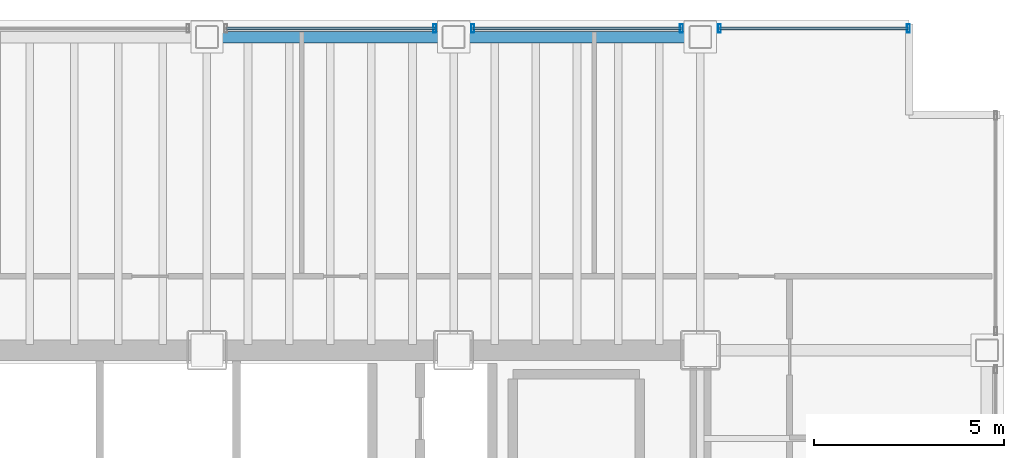
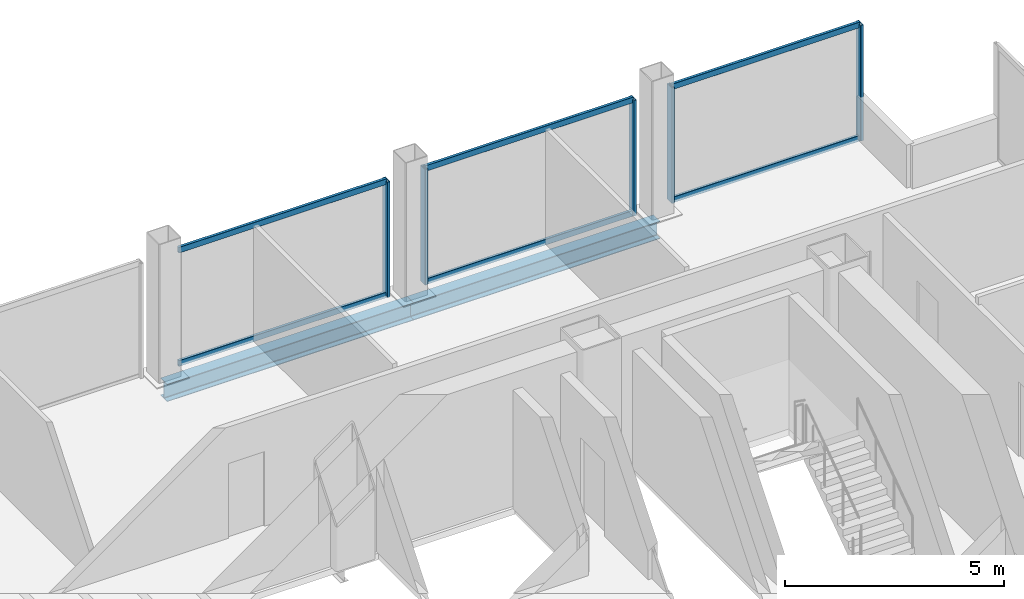
# One storey, part 16 of 21: 11 members, 2 beams, 3 elements without a shape of their own.
"""IFC4 building model written with IfcOpenShell, lengths in metres."""

from ifc_helpers import new_model, si_unit, direction, frame, origin, origin_2d, place, context, subcontext, project, spatial, hollow_rectangle, i_section, extrude, material, material_profile, profile_set, type_object, element, aggregate, save


model = new_model("IFC4")

# Units and contexts
model_context = context("Model", 3, precision=1e-05, world=origin(), true_north=direction((0.0, 1.0)))
body_context = subcontext(model_context, "Body", "Model", "MODEL_VIEW")
ifc_project = project(units=[si_unit("LENGTHUNIT", "METRE"), si_unit("AREAUNIT", "SQUARE_METRE"), si_unit("VOLUMEUNIT", "CUBIC_METRE"), si_unit("PLANEANGLEUNIT", "RADIAN"), si_unit("MASSUNIT", "GRAM", prefix="KILO")], contexts=[model_context])

# Site, building, storey
site_placement = place(None, origin())
site = spatial("IfcSite", under=ifc_project, at=site_placement, CompositionType="ELEMENT")
building_placement = place(site_placement, origin())
building = spatial("IfcBuilding", under=site, at=building_placement, Name="Noeulbin Bourse Tower", CompositionType="ELEMENT")
storey_placement = place(building_placement, frame((0.0, 0.0, 30.39990234375)))
storey = spatial("IfcBuildingStorey", under=building, at=storey_placement, Name="L07", CompositionType="ELEMENT", Elevation=30.39990234375)

# Beams
ifc_material_1 = material(Name="Steel S355", Category="steel")
ifc_material_profile_1 = material_profile(ifc_material_1, i_section(OverallWidth=0.300048828125, OverallDepth=0.488037109375, WebThickness=0.010986328125, FlangeThickness=0.01806640625, FilletRadius=0.02197265625, at=origin_2d()), Name="H-488x300x11x18", Category="LoadBearing")
ifc_profile_set_1 = profile_set([ifc_material_profile_1], Name="Steel S355")
beam_type = type_object("IfcBeamType", Name="BM-SPN-488", PredefinedType="SPANDREL", material=ifc_profile_set_1)
for number, where, z_axis, x_axis, name in (
    (1, (31.0, 46.550048828125, -0.423828125), (1.0, 0.0, 0.0), (0.0, 1.0, 0.0), "North Spandrel L07-3"),
    (2, (37.5, 46.550048828125, -0.423828125), (1.0, 0.0, 0.0), (0.0, 1.0, 0.0), "North Spandrel L07-4"),
):
    element("IfcBeam", number, at=place(storey_placement, frame(where, z_axis=z_axis, x_axis=x_axis)), inside=storey, type_object=beam_type, Name=name, PredefinedType="SPANDREL", context=body_context, shape_type="SweptSolid", body=[
        extrude(i_section(OverallWidth=0.300048828125, OverallDepth=0.488037109375, WebThickness=0.010986328125, FlangeThickness=0.01806640625, FilletRadius=0.02197265625, at=origin_2d()), origin(), (0.0, 0.0, 1.0), 6.5),
    ])

# Curtain wall, member
ifc_material_2 = material(Name="Dark Solar-Control Double Glazing", Category="glass")
curtain_wall_type = type_object("IfcCurtainWallType", Name="CW-SYS-2", PredefinedType="NOTDEFINED", material=ifc_material_2)
curtain_wall_1_placement = place(storey_placement, origin())
curtain_wall_1 = element("IfcCurtainWall", 3, at=curtain_wall_1_placement, inside=storey, type_object=curtain_wall_type, Name="Unitised Curtain Wall CW-L07-N-S4", PredefinedType="NOTDEFINED")
ifc_material_3 = material(Name="Anodised Aluminium 6063-T6", Category="aluminium")
ifc_material_profile_2 = material_profile(ifc_material_3, hollow_rectangle(XDim=0.074951171875, YDim=0.219970703125, WallThickness=0.0048828125, InnerFilletRadius=0.00244140625, OuterFilletRadius=0.0048828125, at=origin_2d()), Name="ALU-MULL-75x220x5", Category="LoadBearing")
ifc_profile_set_2 = profile_set([ifc_material_profile_2], Name="Anodised Aluminium 6063-T6")
member_type_1 = type_object("IfcMemberType", Name="CW-SYS-2-MUL", PredefinedType="MULLION", material=ifc_profile_set_2)
member_1_placement = place(storey_placement, frame((37.0, 46.780029296875, -0.02001953125), z_axis=(0.0, 0.0, 1.0), x_axis=(1.0, 0.0, 0.0)))
member_1 = element("IfcMember", 4, at=member_1_placement, type_object=member_type_1, Name="Curtain Wall Mullion CW-L07-N-S4-M01", PredefinedType="MULLION", context=body_context, shape_type="SweptSolid", body=[
    extrude(hollow_rectangle(XDim=0.074951171875, YDim=0.219970703125, WallThickness=0.0048828125, InnerFilletRadius=0.00244140625, OuterFilletRadius=0.0048828125, at=origin_2d()), origin(), (0.0, 0.0, 1.0), 3.22021484375),
])

# Curtain wall, members
curtain_wall_2_placement = place(storey_placement, origin())
curtain_wall_2 = element("IfcCurtainWall", 5, at=curtain_wall_2_placement, inside=storey, type_object=curtain_wall_type, Name="Unitised Curtain Wall CW-L07-N-S5", PredefinedType="NOTDEFINED")
member_2_placement = place(storey_placement, frame((38.0, 46.780029296875, -0.02001953125), z_axis=(0.0, 0.0, 1.0), x_axis=(1.0, 0.0, 0.0)))
member_2 = element("IfcMember", 6, at=member_2_placement, type_object=member_type_1, Name="Curtain Wall Mullion CW-L07-N-S5-M00", PredefinedType="MULLION", context=body_context, shape_type="SweptSolid", body=[
    extrude(hollow_rectangle(XDim=0.074951171875, YDim=0.219970703125, WallThickness=0.0048828125, InnerFilletRadius=0.00244140625, OuterFilletRadius=0.0048828125, at=origin_2d()), origin(), (0.0, 0.0, 1.0), 3.22021484375),
])
member_3_placement = place(storey_placement, frame((43.5, 46.780029296875, -0.02001953125), z_axis=(0.0, 0.0, 1.0), x_axis=(1.0, 0.0, 0.0)))
member_3 = element("IfcMember", 7, at=member_3_placement, type_object=member_type_1, Name="Curtain Wall Mullion CW-L07-N-S5-M01", PredefinedType="MULLION", context=body_context, shape_type="SweptSolid", body=[
    extrude(hollow_rectangle(XDim=0.074951171875, YDim=0.219970703125, WallThickness=0.0048828125, InnerFilletRadius=0.00244140625, OuterFilletRadius=0.0048828125, at=origin_2d()), origin(), (0.0, 0.0, 1.0), 3.22021484375),
])

curtain_wall_3_placement = place(storey_placement, origin())
curtain_wall_3 = element("IfcCurtainWall", 8, at=curtain_wall_3_placement, inside=storey, type_object=curtain_wall_type, Name="Unitised Curtain Wall CW-L07-N-S6", PredefinedType="NOTDEFINED")
member_4_placement = place(storey_placement, frame((44.5, 46.780029296875, -0.02001953125), z_axis=(0.0, 0.0, 1.0), x_axis=(1.0, 0.0, 0.0)))
member_4 = element("IfcMember", 9, at=member_4_placement, type_object=member_type_1, Name="Curtain Wall Mullion CW-L07-N-S6-M00", PredefinedType="MULLION", context=body_context, shape_type="SweptSolid", body=[
    extrude(hollow_rectangle(XDim=0.074951171875, YDim=0.219970703125, WallThickness=0.0048828125, InnerFilletRadius=0.00244140625, OuterFilletRadius=0.0048828125, at=origin_2d()), origin(), (0.0, 0.0, 1.0), 3.22021484375),
])
member_5_placement = place(storey_placement, frame((49.47998046875, 46.780029296875, -0.02001953125), z_axis=(0.0, 0.0, 1.0), x_axis=(1.0, 0.0, 0.0)))
member_5 = element("IfcMember", 10, at=member_5_placement, type_object=member_type_1, Name="Curtain Wall Mullion CW-L07-N-S6-M01", PredefinedType="MULLION", context=body_context, shape_type="SweptSolid", body=[
    extrude(hollow_rectangle(XDim=0.074951171875, YDim=0.219970703125, WallThickness=0.0048828125, InnerFilletRadius=0.00244140625, OuterFilletRadius=0.0048828125, at=origin_2d()), origin(), (0.0, 0.0, 1.0), 3.22021484375),
])

# Member
ifc_material_profile_3 = material_profile(ifc_material_3, hollow_rectangle(XDim=0.074951171875, YDim=0.159912109375, WallThickness=0.0048828125, InnerFilletRadius=0.00244140625, OuterFilletRadius=0.0048828125, at=origin_2d()), Name="ALU-TRAN-75x160x5", Category="LoadBearing")
ifc_profile_set_3 = profile_set([ifc_material_profile_3], Name="Anodised Aluminium 6063-T6")
member_type_2 = type_object("IfcMemberType", Name="CW-SYS-2-TRN", PredefinedType="USERDEFINED", material=ifc_profile_set_3)
member_6_placement = place(storey_placement, frame((31.510009765625, 46.780029296875, 0.010009765625), z_axis=(1.0, 0.0, 0.0), x_axis=(0.0, 1.0, 0.0)))
member_6 = element("IfcMember", 11, at=member_6_placement, type_object=member_type_2, Name="Curtain Wall Transom CW-L07-N-S4-T00", ObjectType="TRANSOM", PredefinedType="USERDEFINED", context=body_context, shape_type="SweptSolid", body=[
    extrude(hollow_rectangle(XDim=0.074951171875, YDim=0.159912109375, WallThickness=0.0048828125, InnerFilletRadius=0.00244140625, OuterFilletRadius=0.0048828125, at=origin_2d()), origin(), (0.0, 0.0, 1.0), 5.47998046875),
])

member_7_placement = place(storey_placement, frame((31.510009765625, 46.780029296875, 3.170166015625), z_axis=(1.0, 0.0, 0.0), x_axis=(0.0, 1.0, 0.0)))
member_7 = element("IfcMember", 12, at=member_7_placement, type_object=member_type_2, Name="Curtain Wall Transom CW-L07-N-S4-T01", ObjectType="TRANSOM", PredefinedType="USERDEFINED", context=body_context, shape_type="SweptSolid", body=[
    extrude(hollow_rectangle(XDim=0.074951171875, YDim=0.159912109375, WallThickness=0.0048828125, InnerFilletRadius=0.00244140625, OuterFilletRadius=0.0048828125, at=origin_2d()), origin(), (0.0, 0.0, 1.0), 5.47998046875),
])

aggregate(curtain_wall_1, [member_1, member_6, member_7])

member_8_placement = place(storey_placement, frame((38.010009765625, 46.780029296875, 0.010009765625), z_axis=(1.0, 0.0, 0.0), x_axis=(0.0, 1.0, 0.0)))
member_8 = element("IfcMember", 13, at=member_8_placement, type_object=member_type_2, Name="Curtain Wall Transom CW-L07-N-S5-T00", ObjectType="TRANSOM", PredefinedType="USERDEFINED", context=body_context, shape_type="SweptSolid", body=[
    extrude(hollow_rectangle(XDim=0.074951171875, YDim=0.159912109375, WallThickness=0.0048828125, InnerFilletRadius=0.00244140625, OuterFilletRadius=0.0048828125, at=origin_2d()), origin(), (0.0, 0.0, 1.0), 5.47998046875),
])

member_9_placement = place(storey_placement, frame((38.010009765625, 46.780029296875, 3.170166015625), z_axis=(1.0, 0.0, 0.0), x_axis=(0.0, 1.0, 0.0)))
member_9 = element("IfcMember", 14, at=member_9_placement, type_object=member_type_2, Name="Curtain Wall Transom CW-L07-N-S5-T01", ObjectType="TRANSOM", PredefinedType="USERDEFINED", context=body_context, shape_type="SweptSolid", body=[
    extrude(hollow_rectangle(XDim=0.074951171875, YDim=0.159912109375, WallThickness=0.0048828125, InnerFilletRadius=0.00244140625, OuterFilletRadius=0.0048828125, at=origin_2d()), origin(), (0.0, 0.0, 1.0), 5.47998046875),
])

aggregate(curtain_wall_2, [member_2, member_3, member_8, member_9])

member_10_placement = place(storey_placement, frame((44.510009765625, 46.780029296875, 0.010009765625), z_axis=(1.0, 0.0, 0.0), x_axis=(0.0, 1.0, 0.0)))
member_10 = element("IfcMember", 15, at=member_10_placement, type_object=member_type_2, Name="Curtain Wall Transom CW-L07-N-S6-T00", ObjectType="TRANSOM", PredefinedType="USERDEFINED", context=body_context, shape_type="SweptSolid", body=[
    extrude(hollow_rectangle(XDim=0.074951171875, YDim=0.159912109375, WallThickness=0.0048828125, InnerFilletRadius=0.00244140625, OuterFilletRadius=0.0048828125, at=origin_2d()), origin(), (0.0, 0.0, 1.0), 4.9599609375),
])

member_11_placement = place(storey_placement, frame((44.510009765625, 46.780029296875, 3.170166015625), z_axis=(1.0, 0.0, 0.0), x_axis=(0.0, 1.0, 0.0)))
member_11 = element("IfcMember", 16, at=member_11_placement, type_object=member_type_2, Name="Curtain Wall Transom CW-L07-N-S6-T01", ObjectType="TRANSOM", PredefinedType="USERDEFINED", context=body_context, shape_type="SweptSolid", body=[
    extrude(hollow_rectangle(XDim=0.074951171875, YDim=0.159912109375, WallThickness=0.0048828125, InnerFilletRadius=0.00244140625, OuterFilletRadius=0.0048828125, at=origin_2d()), origin(), (0.0, 0.0, 1.0), 4.9599609375),
])

aggregate(curtain_wall_3, [member_4, member_5, member_10, member_11])

save(model, "model.ifc")
